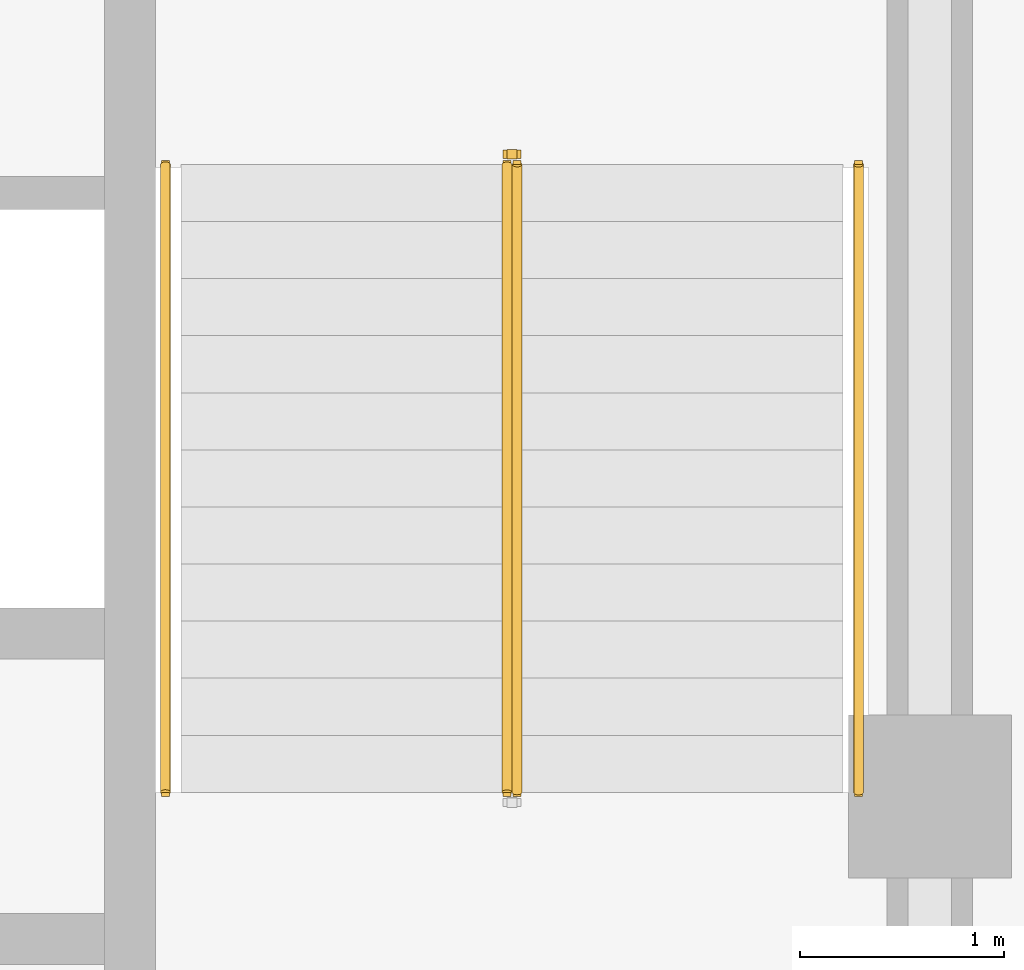
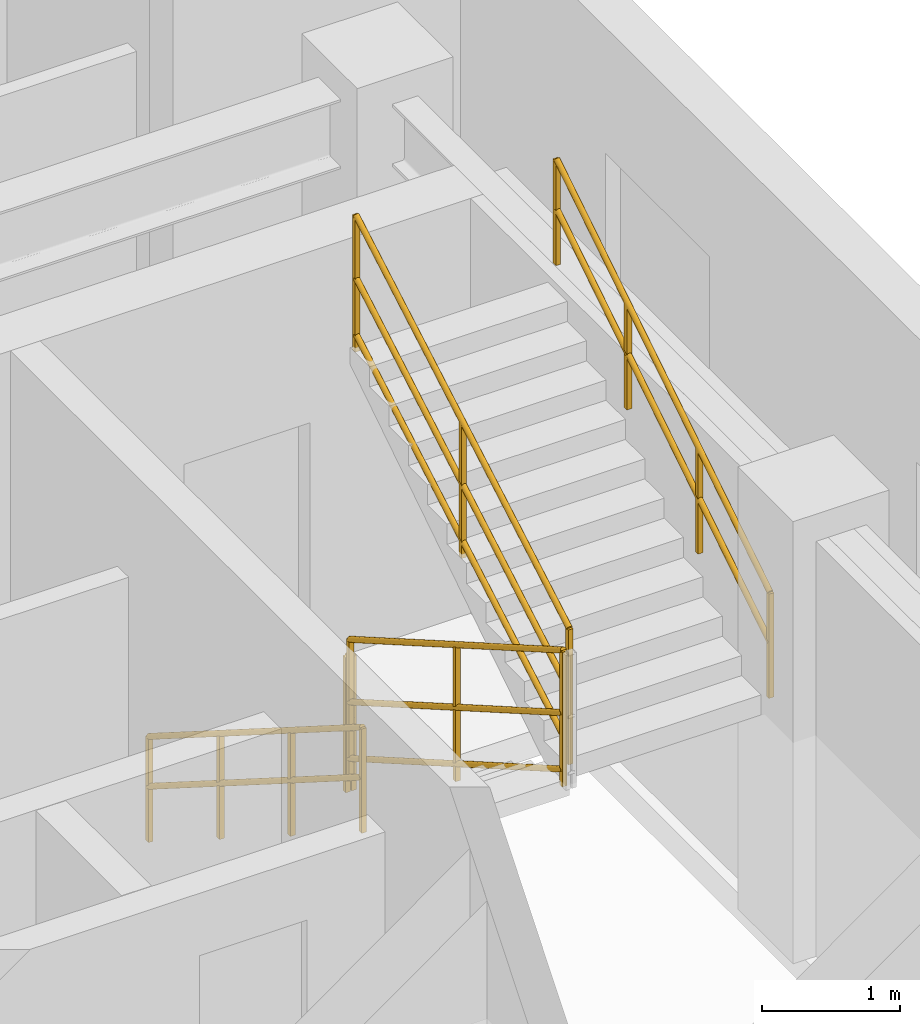
# One storey, part 8 of 9: 5 railings.
"""IFC4 building model written with IfcOpenShell, lengths in metres."""

from ifc_helpers import new_model, entity, si_unit, converted_unit, direction, frame, origin_with_axes, origin_2d_with_axis, place, context, subcontext, project, spatial, rectangle, circle, extrude, material, type_object, element, save


model = new_model("IFC4")

# Units and contexts
model_context = context("Model", 3, precision=1e-05, world=origin_with_axes(), true_north=direction((0.0, 1.0)))
body_context = subcontext(model_context, "Body", "Model", "MODEL_VIEW")
ifc_project = project(units=[si_unit("LENGTHUNIT", "METRE"), si_unit("AREAUNIT", "SQUARE_METRE"), si_unit("VOLUMEUNIT", "CUBIC_METRE"), converted_unit("PLANEANGLEUNIT", "DEGREE", entity("IfcPlaneAngleMeasure", 0.017453292519943295), si_unit("PLANEANGLEUNIT", "RADIAN"), dimensions=[0, 0, 0, 0, 0, 0, 0]), si_unit("MASSUNIT", "GRAM", prefix="KILO"), si_unit("THERMODYNAMICTEMPERATUREUNIT", "KELVIN")], contexts=[model_context])

# Site, building, storey
site_placement = place(None, origin_with_axes())
site = spatial("IfcSite", under=ifc_project, at=site_placement, CompositionType="ELEMENT")
building_placement = place(site_placement, origin_with_axes())
building = spatial("IfcBuilding", under=site, at=building_placement, Name="Varnlund Millrace Tower", CompositionType="ELEMENT")
storey_placement = place(building_placement, frame((0.0, 0.0, 260.7), z_axis=(0.0, 0.0, 1.0), x_axis=(1.0, 0.0, 0.0)))
storey = spatial("IfcBuildingStorey", under=building, at=storey_placement, Name="L64", CompositionType="ELEMENT", Elevation=260.7)

# Railings
ifc_material_1 = material(Name="Painted steel stair well balustrade guard", Category="steel")
railing_type_1 = type_object("IfcRailingType", Name="Type-StairGuard-1150", PredefinedType="GUARDRAIL", material=ifc_material_1)
railing_1_placement = place(storey_placement, frame((0.0, 0.0, -260.7), z_axis=(0.0, 0.0, 1.0), x_axis=(1.0, 0.0, 0.0)))
element("IfcRailing", 1, at=railing_1_placement, inside=storey, type_object=railing_type_1, Name="Type-StairGuard-1150", PredefinedType="GUARDRAIL", context=body_context, shape_type="SweptSolid", body=[
    extrude(circle(Radius=0.024, at=origin_2d_with_axis()), frame((45.975, 21.1, 262.027273), z_axis=(0.0, -0.866696, 0.498836), x_axis=(1.0, 0.0, 0.0)), (0.0, 0.0, 1.0), 3.553725),
    extrude(circle(Radius=0.024, at=origin_2d_with_axis()), frame((45.975, 21.1, 260.977273), z_axis=(0.0, -0.866696, 0.498836), x_axis=(1.0, 0.0, 0.0)), (0.0, 0.0, 1.0), 3.553725),
    extrude(circle(Radius=0.024, at=origin_2d_with_axis()), frame((45.975, 21.1, 261.475273), z_axis=(0.0, -0.866696, 0.498836), x_axis=(1.0, 0.0, 0.0)), (0.0, 0.0, 1.0), 3.553725),
    extrude(rectangle(XDim=0.04, YDim=0.04, at=origin_2d_with_axis()), frame((45.975, 21.1, 260.837273), z_axis=(0.0, 0.0, 1.0), x_axis=(1.0, 0.0, 0.0)), (0.0, 0.0, 1.0), 1.19),
    extrude(rectangle(XDim=0.04, YDim=0.04, at=origin_2d_with_axis()), frame((45.975, 19.56, 261.723636), z_axis=(0.0, 0.0, 1.0), x_axis=(1.0, 0.0, 0.0)), (0.0, 0.0, 1.0), 1.19),
    extrude(rectangle(XDim=0.04, YDim=0.04, at=origin_2d_with_axis()), frame((45.975, 18.02, 262.61), z_axis=(0.0, 0.0, 1.0), x_axis=(1.0, 0.0, 0.0)), (0.0, 0.0, 1.0), 1.19),
])
railing_2_placement = place(storey_placement, frame((0.0, 0.0, -260.7), z_axis=(0.0, 0.0, 1.0), x_axis=(1.0, 0.0, 0.0)))
element("IfcRailing", 2, at=railing_2_placement, inside=storey, type_object=railing_type_1, Name="Type-StairGuard-1150", PredefinedType="GUARDRAIL", context=body_context, shape_type="SweptSolid", body=[
    extrude(circle(Radius=0.024, at=origin_2d_with_axis()), frame((46.025, 18.02, 263.977273), z_axis=(0.0, 0.866696, 0.498836), x_axis=(-1.0, 0.0, 0.0)), (0.0, 0.0, 1.0), 3.553725),
    extrude(circle(Radius=0.024, at=origin_2d_with_axis()), frame((46.025, 18.02, 262.927273), z_axis=(0.0, 0.866696, 0.498836), x_axis=(-1.0, 0.0, 0.0)), (0.0, 0.0, 1.0), 3.553725),
    extrude(circle(Radius=0.024, at=origin_2d_with_axis()), frame((46.025, 18.02, 263.425273), z_axis=(0.0, 0.866696, 0.498836), x_axis=(-1.0, 0.0, 0.0)), (0.0, 0.0, 1.0), 3.553725),
    extrude(rectangle(XDim=0.04, YDim=0.04, at=origin_2d_with_axis()), frame((46.025, 18.02, 262.787273), z_axis=(0.0, 0.0, 1.0), x_axis=(1.0, 0.0, 0.0)), (0.0, 0.0, 1.0), 1.19),
    extrude(rectangle(XDim=0.04, YDim=0.04, at=origin_2d_with_axis()), frame((46.025, 19.56, 263.673636), z_axis=(0.0, 0.0, 1.0), x_axis=(1.0, 0.0, 0.0)), (0.0, 0.0, 1.0), 1.19),
    extrude(rectangle(XDim=0.04, YDim=0.04, at=origin_2d_with_axis()), frame((46.025, 21.1, 264.56), z_axis=(0.0, 0.0, 1.0), x_axis=(1.0, 0.0, 0.0)), (0.0, 0.0, 1.0), 1.19),
])
railing_3_placement = place(storey_placement, frame((0.0, 0.0, -260.7), z_axis=(0.0, 0.0, 1.0), x_axis=(1.0, 0.0, 0.0)))
element("IfcRailing", 3, at=railing_3_placement, inside=storey, type_object=railing_type_1, Name="Type-StairGuard-1150", PredefinedType="GUARDRAIL", context=body_context, shape_type="SweptSolid", body=[
    extrude(circle(Radius=0.024, at=origin_2d_with_axis()), frame((46.025, 21.15, 261.85), z_axis=(-1.0, 0.0, 0.0), x_axis=(0.0, -1.0, 0.0)), (0.0, 0.0, 1.0), 0.05),
    extrude(circle(Radius=0.024, at=origin_2d_with_axis()), frame((46.025, 21.15, 260.8), z_axis=(-1.0, 0.0, 0.0), x_axis=(0.0, -1.0, 0.0)), (0.0, 0.0, 1.0), 0.05),
    extrude(circle(Radius=0.024, at=origin_2d_with_axis()), frame((46.025, 21.15, 261.298), z_axis=(-1.0, 0.0, 0.0), x_axis=(0.0, -1.0, 0.0)), (0.0, 0.0, 1.0), 0.05),
    extrude(rectangle(XDim=0.04, YDim=0.04, at=origin_2d_with_axis()), frame((46.025, 21.15, 260.66), z_axis=(0.0, 0.0, 1.0), x_axis=(1.0, 0.0, 0.0)), (0.0, 0.0, 1.0), 1.19),
    extrude(rectangle(XDim=0.04, YDim=0.04, at=origin_2d_with_axis()), frame((45.975, 21.15, 260.66), z_axis=(0.0, 0.0, 1.0), x_axis=(1.0, 0.0, 0.0)), (0.0, 0.0, 1.0), 1.19),
])
ifc_material_2 = material(Name="Brushed architectural bronze stair handrail", Category="aluminium")
railing_type_2 = type_object("IfcRailingType", Name="Type-StairHandrail-900", PredefinedType="HANDRAIL", material=ifc_material_2)
railing_4_placement = place(storey_placement, frame((0.0, 0.0, -260.7), z_axis=(0.0, 0.0, 1.0), x_axis=(1.0, 0.0, 0.0)))
element("IfcRailing", 4, at=railing_4_placement, inside=storey, type_object=railing_type_2, Name="Type-StairHandrail-900", PredefinedType="HANDRAIL", context=body_context, shape_type="SweptSolid", body=[
    extrude(circle(Radius=0.024, at=origin_2d_with_axis()), frame((44.3, 21.1, 261.756995), z_axis=(0.0, -0.844902, 0.534922), x_axis=(1.0, 0.0, 0.0)), (0.0, 0.0, 1.0), 3.645394),
    extrude(circle(Radius=0.024, at=origin_2d_with_axis()), frame((44.3, 21.1, 261.317134), z_axis=(0.0, -0.844902, 0.534922), x_axis=(1.0, 0.0, 0.0)), (0.0, 0.0, 1.0), 3.645394),
    extrude(rectangle(XDim=0.04, YDim=0.04, at=origin_2d_with_axis()), frame((44.3, 21.1, 260.837273), z_axis=(0.0, 0.0, 1.0), x_axis=(1.0, 0.0, 0.0)), (0.0, 0.0, 1.0), 0.919722),
    extrude(rectangle(XDim=0.04, YDim=0.04, at=origin_2d_with_axis()), frame((44.3, 20.073333, 261.487273), z_axis=(0.0, 0.0, 1.0), x_axis=(1.0, 0.0, 0.0)), (0.0, 0.0, 1.0), 0.919722),
    extrude(rectangle(XDim=0.04, YDim=0.04, at=origin_2d_with_axis()), frame((44.3, 19.046667, 262.137273), z_axis=(0.0, 0.0, 1.0), x_axis=(1.0, 0.0, 0.0)), (0.0, 0.0, 1.0), 0.919722),
    extrude(rectangle(XDim=0.04, YDim=0.04, at=origin_2d_with_axis()), frame((44.3, 18.02, 262.787273), z_axis=(0.0, 0.0, 1.0), x_axis=(1.0, 0.0, 0.0)), (0.0, 0.0, 1.0), 0.919722),
])
railing_5_placement = place(storey_placement, frame((0.0, 0.0, -260.7), z_axis=(0.0, 0.0, 1.0), x_axis=(1.0, 0.0, 0.0)))
element("IfcRailing", 5, at=railing_5_placement, inside=storey, type_object=railing_type_2, Name="Type-StairHandrail-900", PredefinedType="HANDRAIL", context=body_context, shape_type="SweptSolid", body=[
    extrude(circle(Radius=0.024, at=origin_2d_with_axis()), frame((47.7, 18.02, 263.706995), z_axis=(0.0, 0.844902, 0.534922), x_axis=(-1.0, 0.0, 0.0)), (0.0, 0.0, 1.0), 3.645394),
    extrude(circle(Radius=0.024, at=origin_2d_with_axis()), frame((47.7, 18.02, 263.267134), z_axis=(0.0, 0.844902, 0.534922), x_axis=(-1.0, 0.0, 0.0)), (0.0, 0.0, 1.0), 3.645394),
    extrude(rectangle(XDim=0.04, YDim=0.04, at=origin_2d_with_axis()), frame((47.7, 18.02, 262.787273), z_axis=(0.0, 0.0, 1.0), x_axis=(1.0, 0.0, 0.0)), (0.0, 0.0, 1.0), 0.919722),
    extrude(rectangle(XDim=0.04, YDim=0.04, at=origin_2d_with_axis()), frame((47.7, 19.046667, 263.437273), z_axis=(0.0, 0.0, 1.0), x_axis=(1.0, 0.0, 0.0)), (0.0, 0.0, 1.0), 0.919722),
    extrude(rectangle(XDim=0.04, YDim=0.04, at=origin_2d_with_axis()), frame((47.7, 20.073333, 264.087273), z_axis=(0.0, 0.0, 1.0), x_axis=(1.0, 0.0, 0.0)), (0.0, 0.0, 1.0), 0.919722),
    extrude(rectangle(XDim=0.04, YDim=0.04, at=origin_2d_with_axis()), frame((47.7, 21.1, 264.737273), z_axis=(0.0, 0.0, 1.0), x_axis=(1.0, 0.0, 0.0)), (0.0, 0.0, 1.0), 0.919722),
])

save(model, "model.ifc")
